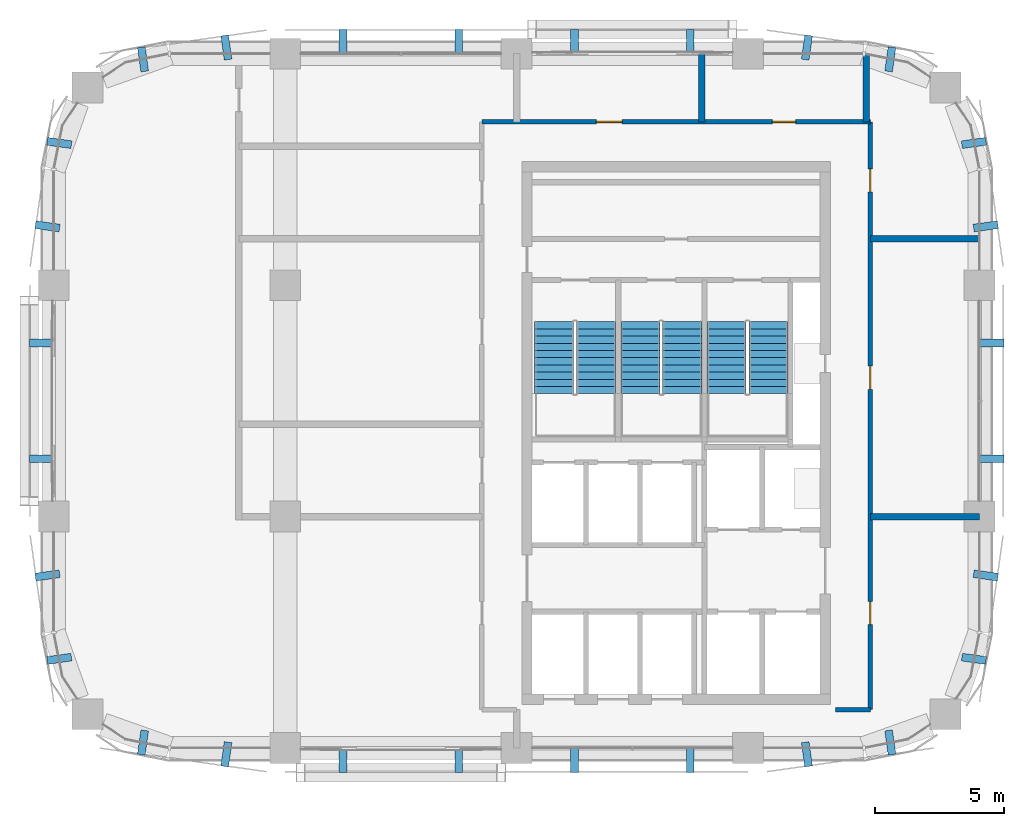
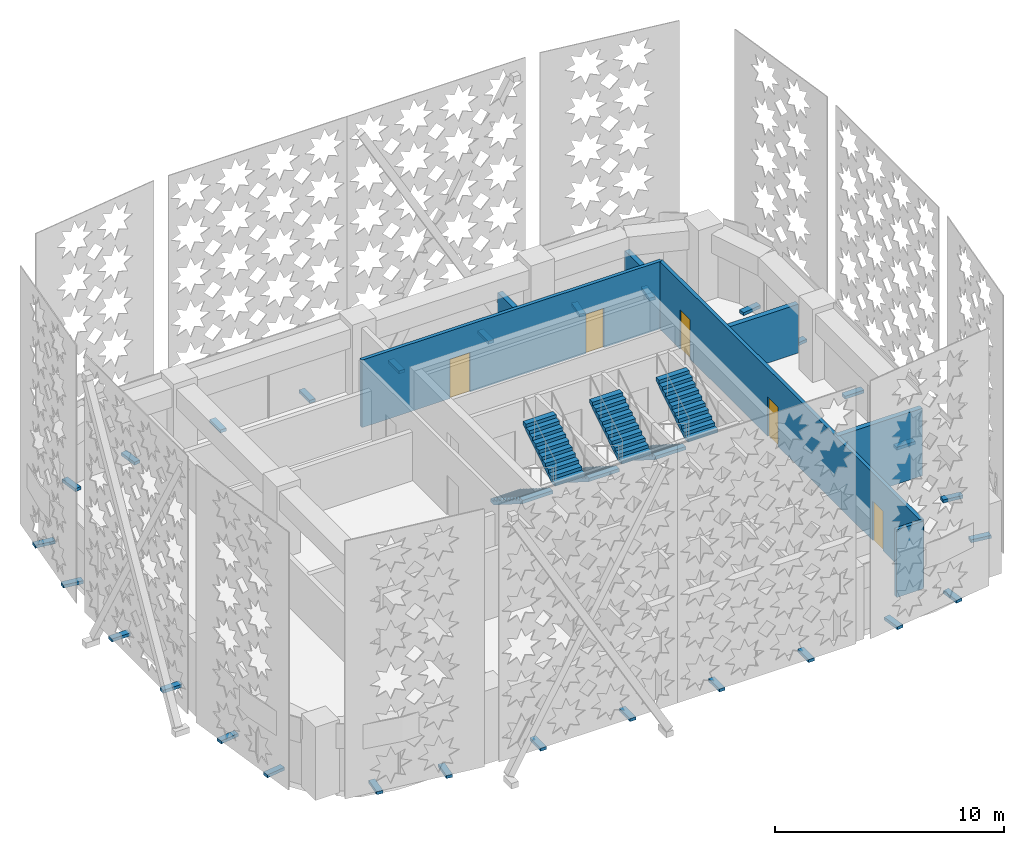
# One storey, part 9 of 17: 28 discrete accessories, 7 walls, 6 stair flights, 5 doors, 5 openings, 3 elements without a shape of their own.
"""IFC4 building model written with IfcOpenShell, lengths in metres."""

from ifc_helpers import new_model, si_unit, direction, frame, frame_2d, origin, origin_2d, place, context, subcontext, project, spatial, polyline, rectangle, outline, extrude, material, layer, layer_set, type_object, element, fill, aggregate, save


model = new_model("IFC4")

# Units and contexts
model_context = context("Model", 3, precision=1e-05, world=origin(), true_north=direction((0.0, 1.0)))
body_context = subcontext(model_context, "Body", "Model", "MODEL_VIEW")
ifc_project = project(units=[si_unit("LENGTHUNIT", "METRE"), si_unit("AREAUNIT", "SQUARE_METRE"), si_unit("VOLUMEUNIT", "CUBIC_METRE"), si_unit("PLANEANGLEUNIT", "RADIAN"), si_unit("MASSUNIT", "GRAM", prefix="KILO")], contexts=[model_context])

# Site, building, storey
site_placement = place(None, origin())
site = spatial("IfcSite", under=ifc_project, at=site_placement, CompositionType="ELEMENT")
building_placement = place(site_placement, origin())
building = spatial("IfcBuilding", under=site, at=building_placement, Name="Tessera Arch", CompositionType="ELEMENT")
storey_placement = place(building_placement, frame((0.0, 0.0, 281.300048828125)))
storey = spatial("IfcBuildingStorey", under=building, at=storey_placement, Name="L68", CompositionType="ELEMENT", Elevation=281.300048828125)

# Wall
ifc_material_1 = material(Name="Gypsum board on deep steel stud with mineral wool", Category="steel")
ifc_layer_1 = layer(ifc_material_1, 0.175048828125)
ifc_layer_set_1 = layer_set([ifc_layer_1], Name="Corridor wall 175 EI 60")
wall_type_1 = type_object("IfcWallType", Name="Corridor wall 175 EI 60", PredefinedType="PARTITIONING", material=ifc_layer_set_1)
wall_1_placement = place(storey_placement, frame((48.39990234375, 28.5, 0.0), z_axis=(0.0, 0.0, 1.0), x_axis=(1.0, 0.0, 0.0)))
element("IfcWall", 1, at=wall_1_placement, inside=storey, type_object=wall_type_1, Name="L68 partition 2", PredefinedType="PARTITIONING", context=body_context, shape_type="SweptSolid", body=[
    extrude(rectangle(XDim=1.35009765625, YDim=0.175048828125, at=frame_2d((0.675048828125, 0.0))), origin(), (0.0, 0.0, 1.0), 3.599853515625),
])

# Wall, openings, doors
wall_2_placement = place(storey_placement, frame((34.64990234375, 51.35009765625, 0.0), z_axis=(0.0, 0.0, 1.0), x_axis=(1.0, 0.0, 0.0)))
wall_2 = element("IfcWall", 2, at=wall_2_placement, inside=storey, type_object=wall_type_1, Name="L68 partition 3", PredefinedType="PARTITIONING", context=body_context, shape_type="SweptSolid", body=[
    extrude(rectangle(XDim=15.10009765625, YDim=0.175048828125, at=frame_2d((7.550048828125, 0.0))), origin(), (0.0, 0.0, 1.0), 3.599853515625),
])
opening_1_placement = place(wall_2_placement, frame((4.449951171875, 0.0, 0.0)))
opening_1 = element("IfcOpeningElement", 3, at=opening_1_placement, cuts=wall_2, Name="Opening L68-D008", PredefinedType="OPENING", context=body_context, shape_type="SweptSolid", body=[
    extrude(rectangle(XDim=1.0, YDim=2.10009765625, at=frame_2d((0.5, 1.050048828125))), frame((0.0, 0.097412109375, 0.0), z_axis=(0.0, -1.0, 0.0), x_axis=(1.0, 0.0, 0.0)), (0.0, 0.0, 1.0), 0.195068359375),
])
opening_2_placement = place(wall_2_placement, frame((11.294189453125, 0.0, 0.0)))
opening_2 = element("IfcOpeningElement", 4, at=opening_2_placement, cuts=wall_2, Name="Opening L68-D009", PredefinedType="OPENING", context=body_context, shape_type="SweptSolid", body=[
    extrude(rectangle(XDim=0.89990234375, YDim=2.10009765625, at=frame_2d((0.449951171875, 1.050048828125))), frame((0.0, 0.097412109375, 0.0), z_axis=(0.0, -1.0, 0.0), x_axis=(1.0, 0.0, 0.0)), (0.0, 0.0, 1.0), 0.195068359375),
])
ifc_material_2 = material(Name="Fire-rated door leaf")
door_type_1 = type_object("IfcDoorType", Name="Entrance door FD30S 1000 x 2100", OperationType="SINGLE_SWING_LEFT", PredefinedType="DOOR", material=ifc_material_2)
door_1_placement = place(opening_1_placement, origin())
door_1 = element("IfcDoor", 5, at=door_1_placement, inside=storey, type_object=door_type_1, Name="L68 door D008 type D03", OperationType="SINGLE_SWING_LEFT", OverallHeight=2.10009765625, OverallWidth=1.0, PredefinedType="DOOR", context=body_context, shape_type="SweptSolid", body=[
    extrude(rectangle(XDim=1.0, YDim=2.10009765625, at=frame_2d((0.5, 1.050048828125))), frame((0.0, 0.02490234375, 0.0), z_axis=(0.0, -1.0, 0.0), x_axis=(1.0, 0.0, 0.0)), (0.0, 0.0, 1.0), 0.050048828125),
])
fill(opening_1, door_1)
ifc_material_3 = material(Name="Timber door leaf", Category="wood")
door_type_2 = type_object("IfcDoorType", Name="Room door 900 x 2100", OperationType="SINGLE_SWING_LEFT", PredefinedType="DOOR", material=ifc_material_3)
door_2_placement = place(opening_2_placement, origin())
door_2 = element("IfcDoor", 6, at=door_2_placement, inside=storey, type_object=door_type_2, Name="L68 door D009 type D01", OperationType="SINGLE_SWING_RIGHT", OverallHeight=2.10009765625, OverallWidth=0.89990234375, PredefinedType="DOOR", context=body_context, shape_type="SweptSolid", body=[
    extrude(rectangle(XDim=0.89990234375, YDim=2.10009765625, at=frame_2d((0.449951171875, 1.050048828125))), frame((0.0, 0.02490234375, 0.0), z_axis=(0.0, -1.0, 0.0), x_axis=(1.0, 0.0, 0.0)), (0.0, 0.0, 1.0), 0.050048828125),
])
fill(opening_2, door_2)

wall_3_placement = place(storey_placement, frame((49.75, 28.5, 0.0), z_axis=(0.0, 0.0, 1.0), x_axis=(0.0, 1.0, 0.0)))
wall_3 = element("IfcWall", 7, at=wall_3_placement, inside=storey, type_object=wall_type_1, Name="L68 partition 5", PredefinedType="PARTITIONING", context=body_context, shape_type="SweptSolid", body=[
    extrude(rectangle(XDim=22.85009765625, YDim=0.175048828125, at=frame_2d((11.425048828125, 0.0))), origin(), (0.0, 0.0, 1.0), 3.599853515625),
])
opening_3_placement = place(wall_3_placement, frame((3.300048828125, 0.0, 0.0)))
opening_3 = element("IfcOpeningElement", 8, at=opening_3_placement, cuts=wall_3, Name="Opening L68-D001", PredefinedType="OPENING", context=body_context, shape_type="SweptSolid", body=[
    extrude(rectangle(XDim=0.89990234375, YDim=2.10009765625, at=frame_2d((0.449951171875, 1.050048828125))), frame((0.0, 0.097412109375, 0.0), z_axis=(0.0, -1.0, 0.0), x_axis=(1.0, 0.0, 0.0)), (0.0, 0.0, 1.0), 0.195068359375),
])
opening_4_placement = place(wall_3_placement, frame((12.449951171875, 0.0, 0.0)))
opening_4 = element("IfcOpeningElement", 9, at=opening_4_placement, cuts=wall_3, Name="Opening L68-D004", PredefinedType="OPENING", context=body_context, shape_type="SweptSolid", body=[
    extrude(rectangle(XDim=0.89990234375, YDim=2.10009765625, at=frame_2d((0.449951171875, 1.050048828125))), frame((0.0, 0.097412109375, 0.0), z_axis=(0.0, -1.0, 0.0), x_axis=(1.0, 0.0, 0.0)), (0.0, 0.0, 1.0), 0.195068359375),
])
opening_5_placement = place(wall_3_placement, frame((20.125, 0.0, 0.0)))
opening_5 = element("IfcOpeningElement", 10, at=opening_5_placement, cuts=wall_3, Name="Opening L68-D007", PredefinedType="OPENING", context=body_context, shape_type="SweptSolid", body=[
    extrude(rectangle(XDim=0.89990234375, YDim=2.10009765625, at=frame_2d((0.449951171875, 1.050048828125))), frame((0.0, 0.097412109375, 0.0), z_axis=(0.0, -1.0, 0.0), x_axis=(1.0, 0.0, 0.0)), (0.0, 0.0, 1.0), 0.195068359375),
])
door_3_placement = place(opening_3_placement, origin())
door_3 = element("IfcDoor", 11, at=door_3_placement, inside=storey, type_object=door_type_2, Name="L68 door D001 type D01", OperationType="SINGLE_SWING_RIGHT", OverallHeight=2.10009765625, OverallWidth=0.89990234375, PredefinedType="DOOR", context=body_context, shape_type="SweptSolid", body=[
    extrude(rectangle(XDim=0.89990234375, YDim=2.10009765625, at=frame_2d((0.449951171875, 1.050048828125))), frame((0.0, 0.02490234375, 0.0), z_axis=(0.0, -1.0, 0.0), x_axis=(1.0, 0.0, 0.0)), (0.0, 0.0, 1.0), 0.050048828125),
])
fill(opening_3, door_3)
door_4_placement = place(opening_4_placement, origin())
door_4 = element("IfcDoor", 12, at=door_4_placement, inside=storey, type_object=door_type_2, Name="L68 door D004 type D01", OperationType="SINGLE_SWING_LEFT", OverallHeight=2.10009765625, OverallWidth=0.89990234375, PredefinedType="DOOR", context=body_context, shape_type="SweptSolid", body=[
    extrude(rectangle(XDim=0.89990234375, YDim=2.10009765625, at=frame_2d((0.449951171875, 1.050048828125))), frame((0.0, 0.02490234375, 0.0), z_axis=(0.0, -1.0, 0.0), x_axis=(1.0, 0.0, 0.0)), (0.0, 0.0, 1.0), 0.050048828125),
])
fill(opening_4, door_4)
door_5_placement = place(opening_5_placement, origin())
door_5 = element("IfcDoor", 13, at=door_5_placement, inside=storey, type_object=door_type_2, Name="L68 door D007 type D01", OperationType="SINGLE_SWING_RIGHT", OverallHeight=2.10009765625, OverallWidth=0.89990234375, PredefinedType="DOOR", context=body_context, shape_type="SweptSolid", body=[
    extrude(rectangle(XDim=0.89990234375, YDim=2.10009765625, at=frame_2d((0.449951171875, 1.050048828125))), frame((0.0, 0.02490234375, 0.0), z_axis=(0.0, -1.0, 0.0), x_axis=(1.0, 0.0, 0.0)), (0.0, 0.0, 1.0), 0.050048828125),
])
fill(opening_5, door_5)

# Walls
ifc_material_4 = material(Name="Double gypsum board on twin steel stud with acoustic mineral wool", Category="steel")
ifc_layer_2 = layer(ifc_material_4, 0.25)
ifc_layer_set_2 = layer_set([ifc_layer_2], Name="Party wall 250 EI 60")
wall_type_2 = type_object("IfcWallType", Name="Party wall 250 EI 60", PredefinedType="PARTITIONING", material=ifc_layer_set_2)
wall_4_placement = place(storey_placement, frame((49.75, 36.0, 0.0), z_axis=(0.0, 0.0, 1.0), x_axis=(1.0, 0.0, 0.0)))
element("IfcWall", 14, at=wall_4_placement, inside=storey, type_object=wall_type_2, Name="L68 partition 7", PredefinedType="PARTITIONING", context=body_context, shape_type="SweptSolid", body=[
    extrude(rectangle(XDim=4.25, YDim=0.25, at=frame_2d((2.125, 0.0))), origin(), (0.0, 0.0, 1.0), 3.599853515625),
])
wall_5_placement = place(storey_placement, frame((49.75, 46.800048828125, 0.0), z_axis=(0.0, 0.0, 1.0), x_axis=(1.0, 0.0, 0.0)))
element("IfcWall", 15, at=wall_5_placement, inside=storey, type_object=wall_type_2, Name="L68 partition 10", PredefinedType="PARTITIONING", context=body_context, shape_type="SweptSolid", body=[
    extrude(rectangle(XDim=4.25, YDim=0.25, at=frame_2d((2.125, 0.0))), origin(), (0.0, 0.0, 1.0), 2.599853515625),
])
wall_6_placement = place(storey_placement, frame((43.199951171875, 51.35009765625, 0.0), z_axis=(0.0, 0.0, 1.0), x_axis=(0.0, 1.0, 0.0)))
element("IfcWall", 16, at=wall_6_placement, inside=storey, type_object=wall_type_2, Name="L68 partition 15", PredefinedType="PARTITIONING", context=body_context, shape_type="SweptSolid", body=[
    extrude(rectangle(XDim=2.64990234375, YDim=0.25, at=frame_2d((1.324951171875, 0.0))), origin(), (0.0, 0.0, 1.0), 2.599853515625),
])
wall_7_placement = place(storey_placement, frame((49.589111328125, 51.35009765625, 0.0), z_axis=(0.0, 0.0, 1.0), x_axis=(0.0, 1.0, 0.0)))
element("IfcWall", 17, at=wall_7_placement, inside=storey, type_object=wall_type_2, Name="L68 partition 16", PredefinedType="PARTITIONING", context=body_context, shape_type="SweptSolid", body=[
    extrude(rectangle(XDim=2.63232421875, YDim=0.25, at=frame_2d((1.316162109375, 0.0))), origin(), (0.0, 0.0, 1.0), 2.599853515625),
])

# Stair, stair flights
ifc_material_5 = material(Name="Concrete C40/50", Category="concrete")
stair_type = type_object("IfcStairType", Name="Dogleg stair 1520", PredefinedType="HALF_TURN_STAIR", material=ifc_material_5)
stair_1_placement = place(storey_placement, origin())
stair_1 = element("IfcStair", 18, at=stair_1_placement, inside=storey, type_object=stair_type, Name="L68 S1a", PredefinedType="HALF_TURN_STAIR")
ifc_material_6 = material(Name="Concrete C40/50", Category="concrete")
stair_flight_type = type_object("IfcStairFlightType", Name="Stair flight 1520", PredefinedType="STRAIGHT", material=ifc_material_6)
stair_flight_1_placement = place(storey_placement, frame((37.4599609375, 43.580078125, 0.0), z_axis=(0.0, 0.0, 1.0), x_axis=(0.0, -1.0, 0.0)))
stair_flight_1 = element("IfcStairFlight", 19, at=stair_flight_1_placement, type_object=stair_flight_type, Name="S1a flight 1", NumberOfRisers=11, NumberOfTreads=10, PredefinedType="STRAIGHT", RiserHeight=0.177272727, TreadLength=0.28, context=body_context, shape_type="SweptSolid", body=[
    extrude(outline(polyline([(0.0, 0.0), (0.0, 0.17724609375), (0.280029296875, 0.17724609375), (0.280029296875, 0.3544921875), (0.56005859375, 0.3544921875), (0.56005859375, 0.53173828125), (0.840087890625, 0.53173828125), (0.840087890625, 0.708984375), (1.1201171875, 0.708984375), (1.1201171875, 0.886474609375), (1.39990234375, 0.886474609375), (1.39990234375, 1.063720703125), (1.679931640625, 1.063720703125), (1.679931640625, 1.240966796875), (1.9599609375, 1.240966796875), (1.9599609375, 1.418212890625), (2.239990234375, 1.418212890625), (2.239990234375, 1.595458984375), (2.52001953125, 1.595458984375), (2.52001953125, 1.772705078125), (2.800048828125, 1.772705078125), (2.800048828125, 1.949951171875), (2.800048828125, 1.59521484375), (0.2802734375, 0.0), (0.0, 0.0)])), frame((0.0, 0.760009765625, 0.0), z_axis=(0.0, -1.0, 0.0), x_axis=(1.0, 0.0, 0.0)), (0.0, 0.0, 1.0), 1.52001953125),
])
stair_flight_2_placement = place(storey_placement, frame((39.090087890625, 40.780029296875, 1.949951171875), z_axis=(0.0, 0.0, 1.0), x_axis=(0.0, 1.0, 0.0)))
stair_flight_2 = element("IfcStairFlight", 20, at=stair_flight_2_placement, type_object=stair_flight_type, Name="S1a flight 2", NumberOfRisers=11, NumberOfTreads=10, PredefinedType="STRAIGHT", RiserHeight=0.177272727, TreadLength=0.28, context=body_context, shape_type="SweptSolid", body=[
    extrude(outline(polyline([(0.0, 0.0), (0.0, 0.17724609375), (0.280029296875, 0.17724609375), (0.280029296875, 0.3544921875), (0.56005859375, 0.3544921875), (0.56005859375, 0.53173828125), (0.840087890625, 0.53173828125), (0.840087890625, 0.708984375), (1.1201171875, 0.708984375), (1.1201171875, 0.886474609375), (1.39990234375, 0.886474609375), (1.39990234375, 1.063720703125), (1.679931640625, 1.063720703125), (1.679931640625, 1.240966796875), (1.9599609375, 1.240966796875), (1.9599609375, 1.418212890625), (2.239990234375, 1.418212890625), (2.239990234375, 1.595458984375), (2.52001953125, 1.595458984375), (2.52001953125, 1.772705078125), (2.800048828125, 1.772705078125), (2.800048828125, 1.949951171875), (2.800048828125, 1.59521484375), (0.2802734375, 0.0), (0.0, 0.0)])), frame((0.0, 0.760009765625, 0.0), z_axis=(0.0, -1.0, 0.0), x_axis=(1.0, 0.0, 0.0)), (0.0, 0.0, 1.0), 1.52001953125),
])
aggregate(stair_1, [stair_flight_1, stair_flight_2])

stair_2_placement = place(storey_placement, origin())
stair_2 = element("IfcStair", 21, at=stair_2_placement, inside=storey, type_object=stair_type, Name="L68 S1b", PredefinedType="HALF_TURN_STAIR")
stair_flight_3_placement = place(storey_placement, frame((40.81005859375, 43.580078125, 0.0), z_axis=(0.0, 0.0, 1.0), x_axis=(0.0, -1.0, 0.0)))
stair_flight_3 = element("IfcStairFlight", 22, at=stair_flight_3_placement, type_object=stair_flight_type, Name="S1b flight 1", NumberOfRisers=11, NumberOfTreads=10, PredefinedType="STRAIGHT", RiserHeight=0.177272727, TreadLength=0.28, context=body_context, shape_type="SweptSolid", body=[
    extrude(outline(polyline([(0.0, 0.0), (0.0, 0.17724609375), (0.280029296875, 0.17724609375), (0.280029296875, 0.3544921875), (0.56005859375, 0.3544921875), (0.56005859375, 0.53173828125), (0.840087890625, 0.53173828125), (0.840087890625, 0.708984375), (1.1201171875, 0.708984375), (1.1201171875, 0.886474609375), (1.39990234375, 0.886474609375), (1.39990234375, 1.063720703125), (1.679931640625, 1.063720703125), (1.679931640625, 1.240966796875), (1.9599609375, 1.240966796875), (1.9599609375, 1.418212890625), (2.239990234375, 1.418212890625), (2.239990234375, 1.595458984375), (2.52001953125, 1.595458984375), (2.52001953125, 1.772705078125), (2.800048828125, 1.772705078125), (2.800048828125, 1.949951171875), (2.800048828125, 1.59521484375), (0.2802734375, 0.0), (0.0, 0.0)])), frame((0.0, 0.760009765625, 0.0), z_axis=(0.0, -1.0, 0.0), x_axis=(1.0, 0.0, 0.0)), (0.0, 0.0, 1.0), 1.52001953125),
])
stair_flight_4_placement = place(storey_placement, frame((42.43994140625, 40.780029296875, 1.949951171875), z_axis=(0.0, 0.0, 1.0), x_axis=(0.0, 1.0, 0.0)))
stair_flight_4 = element("IfcStairFlight", 23, at=stair_flight_4_placement, type_object=stair_flight_type, Name="S1b flight 2", NumberOfRisers=11, NumberOfTreads=10, PredefinedType="STRAIGHT", RiserHeight=0.177272727, TreadLength=0.28, context=body_context, shape_type="SweptSolid", body=[
    extrude(outline(polyline([(0.0, 0.0), (0.0, 0.17724609375), (0.280029296875, 0.17724609375), (0.280029296875, 0.3544921875), (0.56005859375, 0.3544921875), (0.56005859375, 0.53173828125), (0.840087890625, 0.53173828125), (0.840087890625, 0.708984375), (1.1201171875, 0.708984375), (1.1201171875, 0.886474609375), (1.39990234375, 0.886474609375), (1.39990234375, 1.063720703125), (1.679931640625, 1.063720703125), (1.679931640625, 1.240966796875), (1.9599609375, 1.240966796875), (1.9599609375, 1.418212890625), (2.239990234375, 1.418212890625), (2.239990234375, 1.595458984375), (2.52001953125, 1.595458984375), (2.52001953125, 1.772705078125), (2.800048828125, 1.772705078125), (2.800048828125, 1.949951171875), (2.800048828125, 1.59521484375), (0.2802734375, 0.0), (0.0, 0.0)])), frame((0.0, 0.760009765625, 0.0), z_axis=(0.0, -1.0, 0.0), x_axis=(1.0, 0.0, 0.0)), (0.0, 0.0, 1.0), 1.52001953125),
])
aggregate(stair_2, [stair_flight_3, stair_flight_4])

stair_3_placement = place(storey_placement, origin())
stair_3 = element("IfcStair", 24, at=stair_3_placement, inside=storey, type_object=stair_type, Name="L68 S1c", PredefinedType="HALF_TURN_STAIR")
stair_flight_5_placement = place(storey_placement, frame((44.159912109375, 43.580078125, 0.0), z_axis=(0.0, 0.0, 1.0), x_axis=(0.0, -1.0, 0.0)))
stair_flight_5 = element("IfcStairFlight", 25, at=stair_flight_5_placement, type_object=stair_flight_type, Name="S1c flight 1", NumberOfRisers=11, NumberOfTreads=10, PredefinedType="STRAIGHT", RiserHeight=0.177272727, TreadLength=0.28, context=body_context, shape_type="SweptSolid", body=[
    extrude(outline(polyline([(0.0, 0.0), (0.0, 0.17724609375), (0.280029296875, 0.17724609375), (0.280029296875, 0.3544921875), (0.56005859375, 0.3544921875), (0.56005859375, 0.53173828125), (0.840087890625, 0.53173828125), (0.840087890625, 0.708984375), (1.1201171875, 0.708984375), (1.1201171875, 0.886474609375), (1.39990234375, 0.886474609375), (1.39990234375, 1.063720703125), (1.679931640625, 1.063720703125), (1.679931640625, 1.240966796875), (1.9599609375, 1.240966796875), (1.9599609375, 1.418212890625), (2.239990234375, 1.418212890625), (2.239990234375, 1.595458984375), (2.52001953125, 1.595458984375), (2.52001953125, 1.772705078125), (2.800048828125, 1.772705078125), (2.800048828125, 1.949951171875), (2.800048828125, 1.59521484375), (0.2802734375, 0.0), (0.0, 0.0)])), frame((0.0, 0.760009765625, 0.0), z_axis=(0.0, -1.0, 0.0), x_axis=(1.0, 0.0, 0.0)), (0.0, 0.0, 1.0), 1.52001953125),
])
stair_flight_6_placement = place(storey_placement, frame((45.7900390625, 40.780029296875, 1.949951171875), z_axis=(0.0, 0.0, 1.0), x_axis=(0.0, 1.0, 0.0)))
stair_flight_6 = element("IfcStairFlight", 26, at=stair_flight_6_placement, type_object=stair_flight_type, Name="S1c flight 2", NumberOfRisers=11, NumberOfTreads=10, PredefinedType="STRAIGHT", RiserHeight=0.177272727, TreadLength=0.28, context=body_context, shape_type="SweptSolid", body=[
    extrude(outline(polyline([(0.0, 0.0), (0.0, 0.17724609375), (0.280029296875, 0.17724609375), (0.280029296875, 0.3544921875), (0.56005859375, 0.3544921875), (0.56005859375, 0.53173828125), (0.840087890625, 0.53173828125), (0.840087890625, 0.708984375), (1.1201171875, 0.708984375), (1.1201171875, 0.886474609375), (1.39990234375, 0.886474609375), (1.39990234375, 1.063720703125), (1.679931640625, 1.063720703125), (1.679931640625, 1.240966796875), (1.9599609375, 1.240966796875), (1.9599609375, 1.418212890625), (2.239990234375, 1.418212890625), (2.239990234375, 1.595458984375), (2.52001953125, 1.595458984375), (2.52001953125, 1.772705078125), (2.800048828125, 1.772705078125), (2.800048828125, 1.949951171875), (2.800048828125, 1.59521484375), (0.2802734375, 0.0), (0.0, 0.0)])), frame((0.0, 0.760009765625, 0.0), z_axis=(0.0, -1.0, 0.0), x_axis=(1.0, 0.0, 0.0)), (0.0, 0.0, 1.0), 1.52001953125),
])
aggregate(stair_3, [stair_flight_5, stair_flight_6])

# Discrete accessories
for number, where, z_axis, x_axis, name in (
    (27, (54.47509765625, 38.25, 0.0), (0.0, 0.0, 1.0), (1.0, 0.0, 0.0), "Screen panel bracket"),
    (28, (54.47509765625, 42.75, 0.0), (0.0, 0.0, 1.0), (1.0, 0.0, 0.0), "Screen panel bracket"),
    (29, (54.240966796875, 47.287109375, 0.0), (0.0, 0.0, 1.0), (0.99013890656, 0.140089063515, 0.0), "Screen panel bracket"),
    (30, (53.782470703125, 50.528076171875, 0.0), (0.0, 0.0, 1.0), (0.99013890656, 0.140089063515, 0.0), "Screen panel bracket"),
    (31, (50.528076171875, 53.782470703125, 0.0), (0.0, 0.0, 1.0), (0.140089063515, 0.99013890656, 0.0), "Screen panel bracket"),
    (32, (47.287109375, 54.240966796875, 0.0), (0.0, 0.0, 1.0), (0.140089063515, 0.99013890656, 0.0), "Screen panel bracket"),
    (33, (42.75, 54.47509765625, 0.0), (0.0, 0.0, 1.0), (0.0, 1.0, 0.0), "Screen panel bracket"),
    (34, (38.25, 54.47509765625, 0.0), (0.0, 0.0, 1.0), (0.0, 1.0, 0.0), "Screen panel bracket"),
    (35, (33.75, 54.47509765625, 0.0), (0.0, 0.0, 1.0), (0.0, 1.0, 0.0), "Screen panel bracket"),
    (36, (29.25, 54.47509765625, 0.0), (0.0, 0.0, 1.0), (0.0, 1.0, 0.0), "Screen panel bracket"),
    (37, (24.712890625, 54.240966796875, 0.0), (0.0, 0.0, 1.0), (-0.140089063515, 0.99013890656, 0.0), "Screen panel bracket"),
    (38, (21.471923828125, 53.782470703125, 0.0), (0.0, 0.0, 1.0), (-0.140089063515, 0.99013890656, 0.0), "Screen panel bracket"),
    (39, (18.217529296875, 50.528076171875, 0.0), (0.0, 0.0, 1.0), (-0.99013890656, 0.140089063515, 0.0), "Screen panel bracket"),
    (40, (17.759033203125, 47.287109375, 0.0), (0.0, 0.0, 1.0), (-0.99013890656, 0.140089063515, 0.0), "Screen panel bracket"),
    (41, (17.52490234375, 42.75, 0.0), (0.0, 0.0, 1.0), (-1.0, 0.0, 0.0), "Screen panel bracket"),
    (42, (17.52490234375, 38.25, 0.0), (0.0, 0.0, 1.0), (-1.0, 0.0, 0.0), "Screen panel bracket"),
    (43, (17.759033203125, 33.712890625, 0.0), (0.0, 0.0, 1.0), (-0.99013890656, -0.140089063515, 0.0), "Screen panel bracket"),
    (44, (18.217529296875, 30.471923828125, 0.0), (0.0, 0.0, 1.0), (-0.99013890656, -0.140089063515, 0.0), "Screen panel bracket"),
    (45, (21.471923828125, 27.217529296875, 0.0), (0.0, 0.0, 1.0), (-0.140089063515, -0.99013890656, 0.0), "Screen panel bracket"),
    (46, (24.712890625, 26.759033203125, 0.0), (0.0, 0.0, 1.0), (-0.140089063515, -0.99013890656, 0.0), "Screen panel bracket"),
    (47, (29.25, 26.52490234375, 0.0), (0.0, 0.0, 1.0), (0.0, -1.0, 0.0), "Screen panel bracket"),
    (48, (33.75, 26.52490234375, 0.0), (0.0, 0.0, 1.0), (0.0, -1.0, 0.0), "Screen panel bracket"),
    (49, (38.25, 26.52490234375, 0.0), (0.0, 0.0, 1.0), (0.0, -1.0, 0.0), "Screen panel bracket"),
    (50, (42.75, 26.52490234375, 0.0), (0.0, 0.0, 1.0), (0.0, -1.0, 0.0), "Screen panel bracket"),
    (51, (47.287109375, 26.759033203125, 0.0), (0.0, 0.0, 1.0), (0.140089063515, -0.99013890656, 0.0), "Screen panel bracket"),
    (52, (50.528076171875, 27.217529296875, 0.0), (0.0, 0.0, 1.0), (0.140089063515, -0.99013890656, 0.0), "Screen panel bracket"),
    (53, (53.782470703125, 30.471923828125, 0.0), (0.0, 0.0, 1.0), (0.99013890656, -0.140089063515, 0.0), "Screen panel bracket"),
    (54, (54.240966796875, 33.712890625, 0.0), (0.0, 0.0, 1.0), (0.99013890656, -0.140089063515, 0.0), "Screen panel bracket"),
):
    element("IfcDiscreteAccessory", number, at=place(storey_placement, frame(where, z_axis=z_axis, x_axis=x_axis)), inside=storey, Name=name, PredefinedType="BRACKET", context=body_context, shape_type="SweptSolid", body=[
        extrude(rectangle(XDim=0.949951171875, YDim=0.300048828125, at=origin_2d()), origin(), (0.0, 0.0, 1.0), 0.159912109375),
    ])

save(model, "model.ifc")
